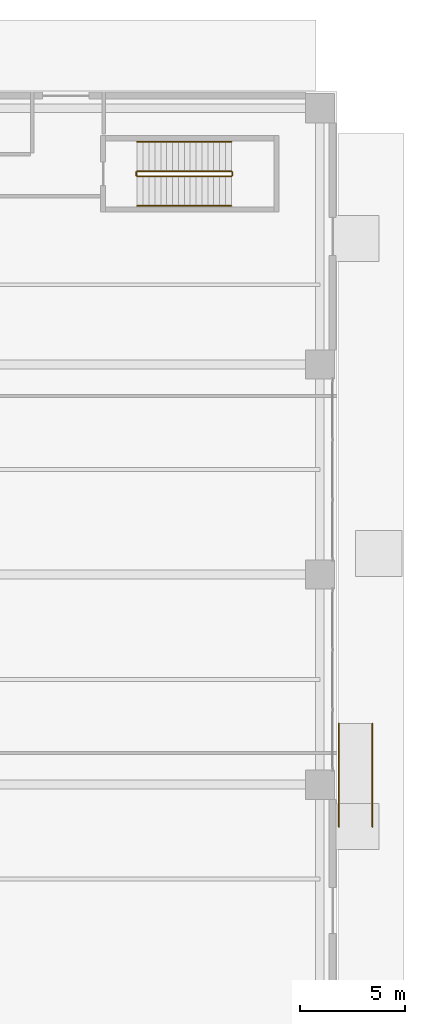
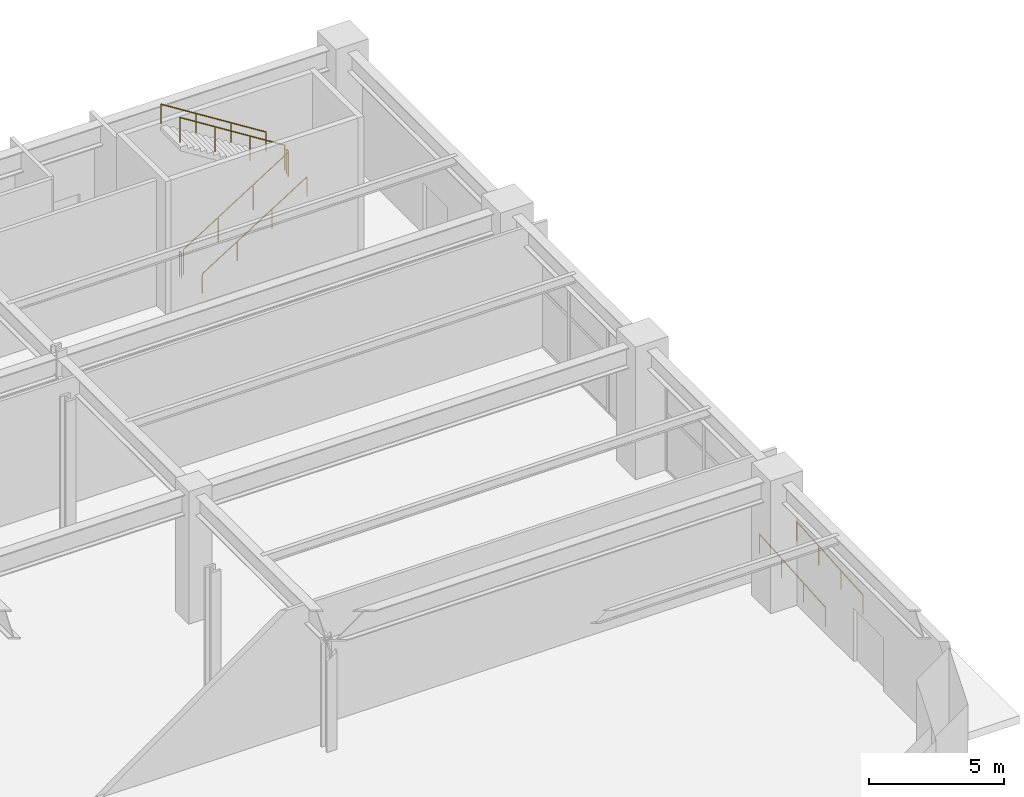
# One storey, part 29 of 31: 8 railings.
"""IFC4 building model written with IfcOpenShell, lengths in metres."""

from ifc_helpers import new_model, si_unit, direction, frame, origin, origin_2d, place, context, subcontext, project, spatial, circle, extrude, material, type_object, element, save


model = new_model("IFC4")

# Units and contexts
model_context = context("Model", 3, precision=1e-05, world=origin(), true_north=direction((0.0, 1.0)))
body_context = subcontext(model_context, "Body", "Model", "MODEL_VIEW")
ifc_project = project(units=[si_unit("LENGTHUNIT", "METRE"), si_unit("AREAUNIT", "SQUARE_METRE"), si_unit("VOLUMEUNIT", "CUBIC_METRE"), si_unit("PLANEANGLEUNIT", "RADIAN"), si_unit("MASSUNIT", "GRAM", prefix="KILO")], contexts=[model_context])

# Site, building, storey
site_placement = place(None, origin())
site = spatial("IfcSite", under=ifc_project, at=site_placement, CompositionType="ELEMENT")
building_placement = place(site_placement, origin())
building = spatial("IfcBuilding", under=site, at=building_placement, Name="Soratama Intermodal Tower", CompositionType="ELEMENT")
storey_placement = place(building_placement, origin())
storey = spatial("IfcBuildingStorey", under=building, at=storey_placement, Name="L00", CompositionType="ELEMENT", Elevation=0.0)

# Railings
ifc_material_1 = material(Name="Painted steel stair guardrail", Category="steel")
railing_type_1 = type_object("IfcRailingType", Name="RL-STAIR-GUARD", PredefinedType="GUARDRAIL", material=ifc_material_1)
railing_1_placement = place(storey_placement, frame((74.5, 43.949951171875, 0.176513671875)))
element("IfcRailing", 1, at=railing_1_placement, inside=storey, type_object=railing_type_1, Name="L00 ST-4 stair guard 1", PredefinedType="GUARDRAIL", context=body_context, shape_type="SweptSolid", body=[
    extrude(circle(Radius=0.02392578125, at=origin_2d()), frame((0.0, 0.0, 1.1259765625), z_axis=(0.845997938375, 0.0, 0.533186166611), x_axis=(0.0, 1.0, 0.0)), (0.0, 0.0, 1.0), 5.29541015625),
    extrude(circle(Radius=0.02099609375, at=origin_2d()), origin(), (0.0, 0.0, 1.0), 1.101806640625),
    extrude(circle(Radius=0.02099609375, at=origin_2d()), frame((1.493408203125, 0.0, 0.941162109375)), (0.0, 0.0, 1.0), 1.101806640625),
    extrude(circle(Radius=0.02099609375, at=origin_2d()), frame((2.986572265625, 0.0, 1.88232421875)), (0.0, 0.0, 1.0), 1.101806640625),
    extrude(circle(Radius=0.02099609375, at=origin_2d()), frame((4.47998046875, 0.0, 2.823486328125)), (0.0, 0.0, 1.0), 1.101806640625),
])
railing_2_placement = place(storey_placement, frame((79.030029296875, 44.0, 3.0)))
element("IfcRailing", 2, at=railing_2_placement, inside=storey, type_object=railing_type_1, Name="L00 ST-4 stair guard 2", PredefinedType="GUARDRAIL", context=body_context, shape_type="SweptSolid", body=[
    extrude(circle(Radius=0.02392578125, at=origin_2d()), frame((0.0, 0.0, 1.1259765625), z_axis=(0.0, 1.0, 0.0), x_axis=(-1.0, 0.0, 0.0)), (0.0, 0.0, 1.0), 0.14990234375),
    extrude(circle(Radius=0.02099609375, at=origin_2d()), origin(), (0.0, 0.0, 1.0), 1.101806640625),
    extrude(circle(Radius=0.02099609375, at=origin_2d()), frame((0.0, 0.14990234375, 0.0)), (0.0, 0.0, 1.0), 1.101806640625),
])
railing_3_placement = place(storey_placement, frame((78.97998046875, 44.199951171875, 3.176513671875)))
element("IfcRailing", 3, at=railing_3_placement, inside=storey, type_object=railing_type_1, Name="L00 ST-4 stair guard 3", PredefinedType="GUARDRAIL", context=body_context, shape_type="SweptSolid", body=[
    extrude(circle(Radius=0.02392578125, at=origin_2d()), frame((0.0, 0.0, 1.1259765625), z_axis=(-0.845997938375, 0.0, 0.533186166611), x_axis=(0.0, -1.0, 0.0)), (0.0, 0.0, 1.0), 5.29541015625),
    extrude(circle(Radius=0.02099609375, at=origin_2d()), origin(), (0.0, 0.0, 1.0), 1.101806640625),
    extrude(circle(Radius=0.02099609375, at=origin_2d()), frame((-1.493408203125, 0.0, 0.941162109375)), (0.0, 0.0, 1.0), 1.101806640625),
    extrude(circle(Radius=0.02099609375, at=origin_2d()), frame((-2.986572265625, 0.0, 1.88232421875)), (0.0, 0.0, 1.0), 1.101806640625),
    extrude(circle(Radius=0.02099609375, at=origin_2d()), frame((-4.47998046875, 0.0, 2.823486328125)), (0.0, 0.0, 1.0), 1.101806640625),
])
railing_4_placement = place(storey_placement, frame((74.449951171875, 44.0, 0.0)))
element("IfcRailing", 4, at=railing_4_placement, inside=storey, type_object=railing_type_1, Name="L00 ST-4 stair guard 4", PredefinedType="GUARDRAIL", context=body_context, shape_type="SweptSolid", body=[
    extrude(circle(Radius=0.02392578125, at=origin_2d()), frame((0.0, 0.0, 1.1259765625), z_axis=(0.0, 1.0, 0.0), x_axis=(-1.0, 0.0, 0.0)), (0.0, 0.0, 1.0), 0.14990234375),
    extrude(circle(Radius=0.02099609375, at=origin_2d()), origin(), (0.0, 0.0, 1.0), 1.101806640625),
    extrude(circle(Radius=0.02099609375, at=origin_2d()), frame((0.0, 0.14990234375, 0.0)), (0.0, 0.0, 1.0), 1.101806640625),
])
ifc_material_2 = material(Name="Brushed stainless steel handrail", Category="steel")
railing_type_2 = type_object("IfcRailingType", Name="RL-STAIR-HAND", PredefinedType="HANDRAIL", material=ifc_material_2)
railing_5_placement = place(storey_placement, frame((74.5, 42.550048828125, 0.176513671875)))
element("IfcRailing", 5, at=railing_5_placement, inside=storey, type_object=railing_type_2, Name="L00 ST-4 stair handrail 1", PredefinedType="HANDRAIL", context=body_context, shape_type="SweptSolid", body=[
    extrude(circle(Radius=0.02392578125, at=origin_2d()), frame((0.0, 0.0, 0.8759765625), z_axis=(0.845997938375, 0.0, 0.533186166611), x_axis=(0.0, 1.0, 0.0)), (0.0, 0.0, 1.0), 5.29541015625),
    extrude(circle(Radius=0.02099609375, at=origin_2d()), origin(), (0.0, 0.0, 1.0), 0.851806640625),
    extrude(circle(Radius=0.02099609375, at=origin_2d()), frame((1.493408203125, 0.0, 0.941162109375)), (0.0, 0.0, 1.0), 0.851806640625),
    extrude(circle(Radius=0.02099609375, at=origin_2d()), frame((2.986572265625, 0.0, 1.88232421875)), (0.0, 0.0, 1.0), 0.851806640625),
    extrude(circle(Radius=0.02099609375, at=origin_2d()), frame((4.47998046875, 0.0, 2.823486328125)), (0.0, 0.0, 1.0), 0.851806640625),
])
railing_6_placement = place(storey_placement, frame((78.97998046875, 45.60009765625, 3.176513671875)))
element("IfcRailing", 6, at=railing_6_placement, inside=storey, type_object=railing_type_2, Name="L00 ST-4 stair handrail 2", PredefinedType="HANDRAIL", context=body_context, shape_type="SweptSolid", body=[
    extrude(circle(Radius=0.02392578125, at=origin_2d()), frame((0.0, 0.0, 0.8759765625), z_axis=(-0.845997938375, 0.0, 0.533186166611), x_axis=(0.0, -1.0, 0.0)), (0.0, 0.0, 1.0), 5.29541015625),
    extrude(circle(Radius=0.02099609375, at=origin_2d()), origin(), (0.0, 0.0, 1.0), 0.851806640625),
    extrude(circle(Radius=0.02099609375, at=origin_2d()), frame((-1.493408203125, 0.0, 0.941162109375)), (0.0, 0.0, 1.0), 0.851806640625),
    extrude(circle(Radius=0.02099609375, at=origin_2d()), frame((-2.986572265625, 0.0, 1.88232421875)), (0.0, 0.0, 1.0), 0.851806640625),
    extrude(circle(Radius=0.02099609375, at=origin_2d()), frame((-4.47998046875, 0.0, 2.823486328125)), (0.0, 0.0, 1.0), 0.851806640625),
])
for number, where, name in (
    (7, (84.10009765625, 13.0, -0.35009765625), "L00 Accessible Ramp Handrail E1 A"),
    (8, (85.699951171875, 13.0, -0.35009765625), "L00 Accessible Ramp Handrail E1 B"),
):
    element("IfcRailing", number, at=place(storey_placement, frame(where)), inside=storey, type_object=railing_type_2, Name=name, PredefinedType="HANDRAIL", context=body_context, shape_type="SweptSolid", body=[
        extrude(circle(Radius=0.02392578125, at=origin_2d()), frame((0.0, 0.0, 0.8759765625), z_axis=(0.0, 0.997457185933, 0.071268241387), x_axis=(-1.0, 0.0, 0.0)), (0.0, 0.0, 1.0), 4.912353515625),
        extrude(circle(Radius=0.02099609375, at=origin_2d()), origin(), (0.0, 0.0, 1.0), 0.851806640625),
        extrude(circle(Radius=0.02099609375, at=origin_2d()), frame((0.0, 1.63330078125, 0.11669921875)), (0.0, 0.0, 1.0), 0.851806640625),
        extrude(circle(Radius=0.02099609375, at=origin_2d()), frame((0.0, 3.2666015625, 0.2333984375)), (0.0, 0.0, 1.0), 0.851806640625),
        extrude(circle(Radius=0.02099609375, at=origin_2d()), frame((0.0, 4.89990234375, 0.35009765625)), (0.0, 0.0, 1.0), 0.851806640625),
    ])

save(model, "model.ifc")
